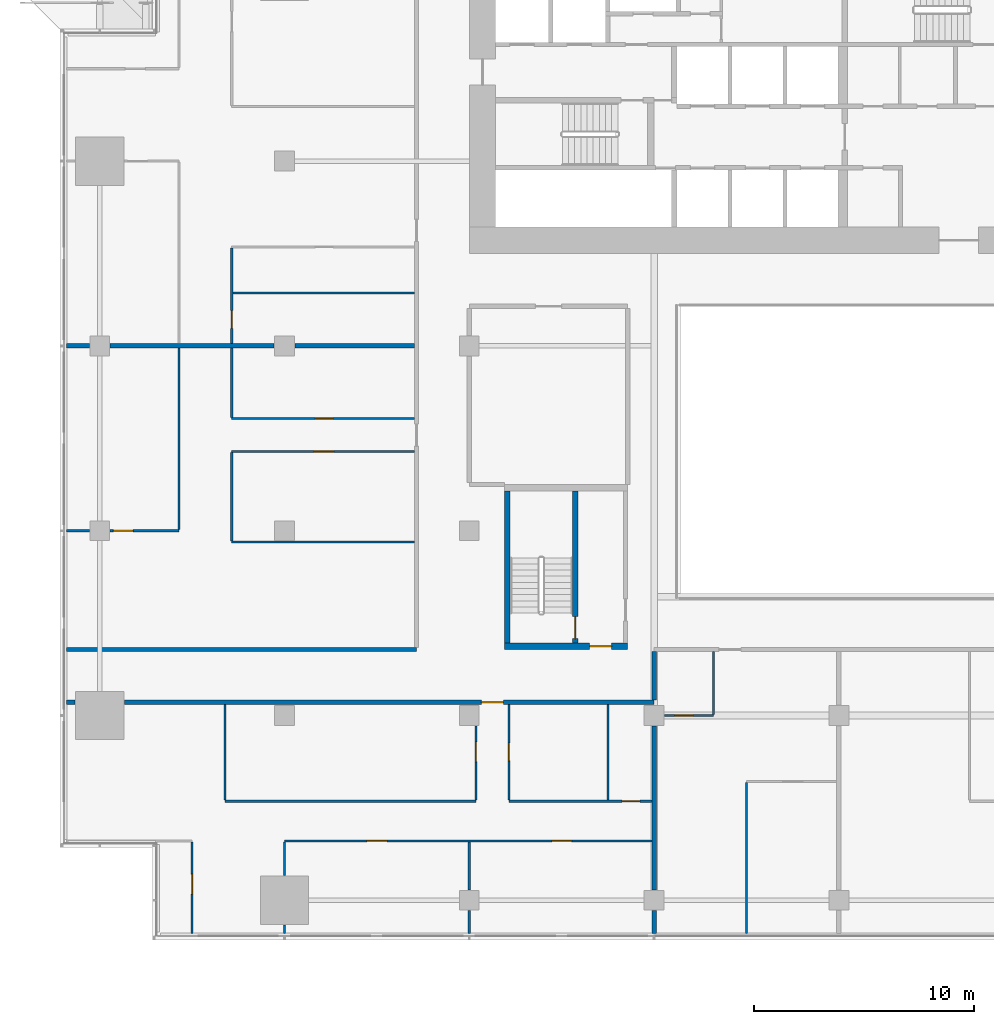
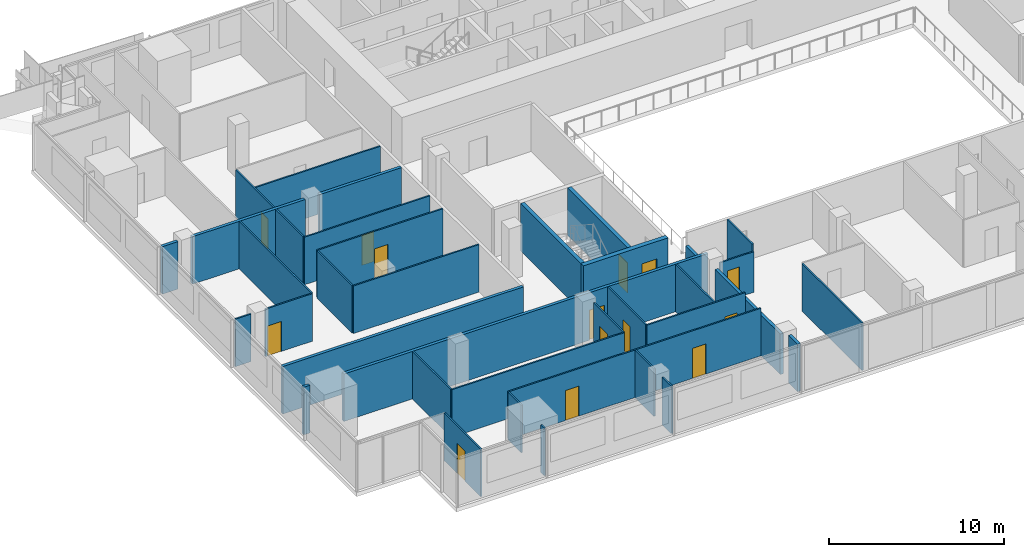
# One storey, part 18 of 30: 37 walls, 14 doors, 14 openings.
"""IFC4 building model written with IfcOpenShell, lengths in metres."""

import ifcopenshell
import ifcopenshell.guid

model = None  # the IFC model being written
_history = None  # IfcOwnerHistory: only IFC2X3 demands one
_inside = {}  # id of a spatial element -> (the spatial element, [elements in it])
_under = {}  # id of a project, library or spatial element -> (it, [spatial elements below it])
_declared = {}  # id of a project -> (the project, [libraries it declares])
_typed = {}  # id of a type object -> (the type object, [elements of that type])
_made_of = {}  # id of a material, layer set ... -> (it, [elements and type objects made of it])


def new_model(schema):
    """Start an empty IFC model of exactly this schema.

    Asked for "IFC4X3", IfcOpenShell would pick the latest addendum, in which some entities
    have other attributes; the version numbers below select the first issue.
    IFC2X3 requires an IfcOwnerHistory on every rooted entity: one is made here for all.
    """
    global model, _history
    if schema == "IFC4X3":
        model = ifcopenshell.file(schema_version=(4, 3, 0, 0))
    else:
        model = ifcopenshell.file(schema=schema)
    _inside.clear()
    _under.clear()
    _declared.clear()
    _typed.clear()
    _made_of.clear()
    _history = None
    if model.schema == "IFC2X3":
        org = make("IfcOrganization", Name="unknown")
        user = make(
            "IfcPersonAndOrganization",
            ThePerson=make("IfcPerson", FamilyName="unknown"),
            TheOrganization=org,
        )
        app = make(
            "IfcApplication",
            ApplicationDeveloper=org,
            Version="unknown",
            ApplicationFullName="unknown",
            ApplicationIdentifier="unknown",
        )
        _history = make(
            "IfcOwnerHistory",
            OwningUser=user,
            OwningApplication=app,
            ChangeAction="ADDED",
            CreationDate=0,
        )
    return model


def make(cls, **values):
    """One entity of the class cls with the attributes given. An attribute that is None is left unset."""
    return model.create_entity(
        cls, **{name: value for name, value in values.items() if value is not None}
    )


def rooted(cls, **values):
    """An entity with a GlobalId (a new one), such as an element, a storey or a relation."""
    return make(cls, GlobalId=ifcopenshell.guid.new(), OwnerHistory=_history, **values)


def si_unit(unit_type, name, prefix=None):
    """IfcSIUnit, for example si_unit("LENGTHUNIT", "METRE", prefix="MILLI")."""
    return make("IfcSIUnit", UnitType=unit_type, Prefix=prefix, Name=name)


def assignment(units):
    """IfcUnitAssignment: the units of a project."""
    return None if units is None else make("IfcUnitAssignment", Units=units)


def point(xyz):
    """IfcCartesianPoint."""
    return None if xyz is None else make("IfcCartesianPoint", Coordinates=xyz)


def direction(xyz):
    """IfcDirection."""
    return None if xyz is None else make("IfcDirection", DirectionRatios=xyz)


def frame(location, z_axis=None, x_axis=None):
    """IfcAxis2Placement3D, a coordinate frame: its origin and axes. An axis left out is left unset."""
    return make(
        "IfcAxis2Placement3D",
        Location=point(location),
        Axis=direction(z_axis),
        RefDirection=direction(x_axis),
    )


def frame_2d(location, x_axis=None):
    """IfcAxis2Placement2D, a coordinate frame in the plane: its origin and x axis."""
    return make(
        "IfcAxis2Placement2D", Location=point(location), RefDirection=direction(x_axis)
    )


def origin():
    """The frame at (0, 0, 0) with its axes left unset."""
    return frame((0.0, 0.0, 0.0))


def place(relative_to, where):
    """IfcLocalPlacement: puts the frame where relative to a parent placement (None: the world)."""
    return make(
        "IfcLocalPlacement", PlacementRelTo=relative_to, RelativePlacement=where
    )


def context(
    kind, dimensions, precision=None, world=None, true_north=None, identifier=None
):
    """IfcGeometricRepresentationContext, for example the 3D "Model" context."""
    return make(
        "IfcGeometricRepresentationContext",
        ContextIdentifier=identifier,
        ContextType=kind,
        CoordinateSpaceDimension=dimensions,
        Precision=precision,
        WorldCoordinateSystem=world,
        TrueNorth=true_north,
    )


def subcontext(parent, identifier, kind, view, scale=None):
    """IfcGeometricRepresentationSubContext, for example "Body" below "Model"."""
    return make(
        "IfcGeometricRepresentationSubContext",
        ContextIdentifier=identifier,
        ContextType=kind,
        ParentContext=parent,
        TargetScale=scale,
        TargetView=view,
    )


def project(units=None, contexts=None):
    """IfcProject with its units and contexts."""
    return rooted(
        "IfcProject",
        Name="project",
        RepresentationContexts=contexts,
        UnitsInContext=assignment(units),
    )


def spatial(cls, under=None, at=None, **own):
    """A site, building, storey or space (cls), placed at a placement, below another one or the project."""
    s = rooted(cls, ObjectPlacement=at, **own)
    if under is not None:
        _under.setdefault(under.id(), (under, []))[1].append(s)
    return s


def profile(cls, at=None, kind="AREA", **sizes):
    """A parametric profile (cls). Its sizes go by their IFC names, for example OverallWidth=200.0."""
    return make(cls, ProfileType=kind, Position=at, **sizes)


def rectangle(**sizes):
    """IfcRectangleProfileDef."""
    return profile("IfcRectangleProfileDef", **sizes)


def extrude(swept, where, along, depth):
    """IfcExtrudedAreaSolid: the profile swept, set in the frame where, extruded along a direction by depth."""
    return make(
        "IfcExtrudedAreaSolid",
        SweptArea=swept,
        Position=where,
        ExtrudedDirection=direction(along),
        Depth=depth,
    )


def shape(context_of_items, identifier, shape_type, items):
    """IfcShapeRepresentation: the items that make up one representation, for example the "Body"."""
    return make(
        "IfcShapeRepresentation",
        ContextOfItems=context_of_items,
        RepresentationIdentifier=identifier,
        RepresentationType=shape_type,
        Items=items,
    )


def material(Name=None, Category=None):
    """IfcMaterial."""
    return make("IfcMaterial", Name=Name, Category=Category)


def layer(
    of_material, thickness, ventilated=None, Name=None, Category=None, Priority=None
):
    """IfcMaterialLayer: one layer of a wall or slab, of a material (None: an air gap)."""
    return make(
        "IfcMaterialLayer",
        Material=of_material,
        LayerThickness=thickness,
        IsVentilated=ventilated,
        Name=Name,
        Category=Category,
        Priority=Priority,
    )


def layer_set(layers, Name=None):
    """IfcMaterialLayerSet."""
    return make("IfcMaterialLayerSet", MaterialLayers=layers, LayerSetName=Name)


def made_of(thing, what):
    """Note that an element or type object is made of a material, layer set ...; save() writes the relation."""
    if what is not None:
        _made_of.setdefault(what.id(), (what, []))[1].append(thing)
    return thing


def type_object(cls, material=None, **own):
    """A type object (cls), such as IfcWallType, which elements share."""
    return made_of(rooted(cls, **own), material)


def element(
    cls,
    number,
    at=None,
    inside=None,
    cuts=None,
    type_object=None,
    material=None,
    context=None,
    identifier="Body",
    shape_type=None,
    held_by="IfcProductDefinitionShape",
    body=None,
    shapes=None,
    **own,
):
    """One element of the class cls, such as IfcWall. Its Tag is "e" and its number.

    at: its placement. inside: the storey or other place that contains it. cuts: it is an
    opening in that element (IfcRelVoidsElement). A single representation is given by context,
    identifier, shape_type and body (its items); several are given by shapes. held_by: the class
    of the entity that holds the representations. save() writes the other relations.
    """
    e = rooted(cls, Tag="e%d" % number, ObjectPlacement=at, **own)
    if body is not None:
        shapes = [shape(context, identifier, shape_type, body)]
    if shapes is not None:
        e.Representation = make(held_by, Representations=shapes)
    if inside is not None:
        _inside.setdefault(inside.id(), (inside, []))[1].append(e)
    if cuts is not None:
        rooted(
            "IfcRelVoidsElement", RelatingBuildingElement=cuts, RelatedOpeningElement=e
        )
    if type_object is not None:
        _typed.setdefault(type_object.id(), (type_object, []))[1].append(e)
    return made_of(e, material)


def fill(opening, filler):
    """IfcRelFillsElement: the door or window that sits in an opening."""
    return rooted(
        "IfcRelFillsElement",
        RelatingOpeningElement=opening,
        RelatedBuildingElement=filler,
    )


def aggregate(whole, parts):
    """IfcRelAggregates: a whole, such as a stair, and the parts it consists of."""
    return rooted("IfcRelAggregates", RelatingObject=whole, RelatedObjects=parts)


def save(model, path):
    """Write the relations noted so far, then the file.

    IfcRelAggregates (storeys below a building ...), IfcRelContainedInSpatialStructure (elements
    in a storey), IfcRelDefinesByType, IfcRelAssociatesMaterial and IfcRelDeclares: one each for
    every whole, place, type object, material and project.
    """
    for whole, parts in _under.values():
        aggregate(whole, parts)
    for where, things in _inside.values():
        rooted(
            "IfcRelContainedInSpatialStructure",
            RelatedElements=things,
            RelatingStructure=where,
        )
    for kind, things in _typed.values():
        rooted("IfcRelDefinesByType", RelatedObjects=things, RelatingType=kind)
    for what, things in _made_of.values():
        rooted("IfcRelAssociatesMaterial", RelatedObjects=things, RelatingMaterial=what)
    for by, libraries in _declared.values():
        rooted("IfcRelDeclares", RelatingContext=by, RelatedDefinitions=libraries)
    model.write(path)


model = new_model("IFC4")

# Units and contexts
model_context = context("Model", 3, precision=1e-05, world=origin(), true_north=direction((0.0, 1.0)))
body_context = subcontext(model_context, "Body", "Model", "MODEL_VIEW")
ifc_project = project(units=[si_unit("LENGTHUNIT", "METRE"), si_unit("AREAUNIT", "SQUARE_METRE"), si_unit("VOLUMEUNIT", "CUBIC_METRE"), si_unit("PLANEANGLEUNIT", "RADIAN"), si_unit("MASSUNIT", "GRAM", prefix="KILO")], contexts=[model_context])

# Site, building, storey
site_placement = place(None, origin())
site = spatial("IfcSite", under=ifc_project, at=site_placement, CompositionType="ELEMENT")
building_placement = place(site_placement, origin())
building = spatial("IfcBuilding", under=site, at=building_placement, Name="Saffron Gate Tower", CompositionType="ELEMENT")
storey_placement = place(building_placement, frame((0.0, 0.0, 69.60009765625)))
storey = spatial("IfcBuildingStorey", under=building, at=storey_placement, Name="L16", CompositionType="ELEMENT", Elevation=69.60009765625)

# Wall
ifc_material_1 = material(Name="Concrete C70", Category="concrete")
ifc_layer_1 = layer(ifc_material_1, 0.25)
ifc_layer_set_1 = layer_set([ifc_layer_1], Name="CW2 RC core wall 250 C70")
wall_type_1 = type_object("IfcWallType", Name="CW2 RC core wall 250 C70", PredefinedType="SOLIDWALL", material=ifc_layer_set_1)
wall_1_placement = place(storey_placement, frame((68.324951171875, 43.5, 0.0), z_axis=(0.0, 0.0, 1.0), x_axis=(0.0, 1.0, 0.0)))
element("IfcWall", 1, at=wall_1_placement, inside=storey, type_object=wall_type_1, Name="Wall CW2-L16-D-2", PredefinedType="SOLIDWALL", context=body_context, shape_type="SweptSolid", body=[
    extrude(rectangle(XDim=6.89990234375, YDim=0.25, at=frame_2d((3.449951171875, 0.0))), origin(), (0.0, 0.0, 1.0), 3.31982421875),
])

# Wall, opening, door
wall_2_placement = place(storey_placement, frame((71.425048828125, 43.5, 0.0), z_axis=(0.0, 0.0, 1.0), x_axis=(0.0, 1.0, 0.0)))
wall_2 = element("IfcWall", 2, at=wall_2_placement, inside=storey, type_object=wall_type_1, Name="Wall CW2-L16-D-3", PredefinedType="SOLIDWALL", context=body_context, shape_type="SweptSolid", body=[
    extrude(rectangle(XDim=6.89990234375, YDim=0.25, at=frame_2d((3.449951171875, 0.0))), origin(), (0.0, 0.0, 1.0), 3.31982421875),
])
opening_1_placement = place(wall_2_placement, frame((0.199951171875, 0.0, 0.0)))
opening_1 = element("IfcOpeningElement", 3, at=opening_1_placement, cuts=wall_2, Name="Opening CR-20", PredefinedType="OPENING", context=body_context, shape_type="SweptSolid", body=[
    extrude(rectangle(XDim=1.0, YDim=2.10009765625, at=frame_2d((0.5, 1.050048828125))), frame((0.0, 0.135009765625, 0.0), z_axis=(0.0, -1.0, 0.0), x_axis=(1.0, 0.0, 0.0)), (0.0, 0.0, 1.0), 0.27001953125),
])
ifc_material_2 = material(Name="Steel fire door set", Category="steel")
door_type_1 = type_object("IfcDoorType", Name="CD5 Stair door 1000x2100 EI 120", OperationType="NOTDEFINED", PredefinedType="DOOR", material=ifc_material_2)
door_1_placement = place(opening_1_placement, origin())
door_1 = element("IfcDoor", 4, at=door_1_placement, inside=storey, type_object=door_type_1, Name="DOOR CR-20", OperationType="SINGLE_SWING_LEFT", OverallHeight=2.10009765625, OverallWidth=1.0, PredefinedType="DOOR", context=body_context, shape_type="SweptSolid", body=[
    extrude(rectangle(XDim=1.0, YDim=2.10009765625, at=frame_2d((0.5, 1.050048828125))), frame((0.0, 0.02490234375, 0.0), z_axis=(0.0, -1.0, 0.0), x_axis=(1.0, 0.0, 0.0)), (0.0, 0.0, 1.0), 0.050048828125),
])
fill(opening_1, door_1)

ifc_layer_2 = layer(ifc_material_1, 0.300048828125)
ifc_layer_set_2 = layer_set([ifc_layer_2], Name="CW5 RC core wall 300 C70")
wall_type_2 = type_object("IfcWallType", Name="CW5 RC core wall 300 C70", PredefinedType="SOLIDWALL", material=ifc_layer_set_2)
wall_3_placement = place(storey_placement, frame((68.199951171875, 43.35009765625, 0.0), z_axis=(0.0, 0.0, 1.0), x_axis=(1.0, 0.0, 0.0)))
wall_3 = element("IfcWall", 5, at=wall_3_placement, inside=storey, type_object=wall_type_2, Name="Wall CW5-L16-D-1", PredefinedType="SOLIDWALL", context=body_context, shape_type="SweptSolid", body=[
    extrude(rectangle(XDim=5.60009765625, YDim=0.300048828125, at=frame_2d((2.800048828125, 0.0))), origin(), (0.0, 0.0, 1.0), 3.31982421875),
])
opening_2_placement = place(wall_3_placement, frame((3.875, 0.0, 0.0)))
opening_2 = element("IfcOpeningElement", 6, at=opening_2_placement, cuts=wall_3, Name="Opening CR-18", PredefinedType="OPENING", context=body_context, shape_type="SweptSolid", body=[
    extrude(rectangle(XDim=1.0, YDim=2.10009765625, at=frame_2d((0.5, 1.050048828125))), frame((0.0, 0.16015625, 0.0), z_axis=(0.0, -1.0, 0.0), x_axis=(1.0, 0.0, 0.0)), (0.0, 0.0, 1.0), 0.320068359375),
])
door_type_2 = type_object("IfcDoorType", Name="CD4 Lobby door 1000x2100 EI 120", OperationType="NOTDEFINED", PredefinedType="DOOR", material=ifc_material_2)
door_2_placement = place(opening_2_placement, origin())
door_2 = element("IfcDoor", 7, at=door_2_placement, inside=storey, type_object=door_type_2, Name="DOOR CR-18", OperationType="SINGLE_SWING_RIGHT", OverallHeight=2.10009765625, OverallWidth=1.0, PredefinedType="DOOR", context=body_context, shape_type="SweptSolid", body=[
    extrude(rectangle(XDim=1.0, YDim=2.10009765625, at=frame_2d((0.5, 1.050048828125))), frame((0.0, 0.02490234375, 0.0), z_axis=(0.0, -1.0, 0.0), x_axis=(1.0, 0.0, 0.0)), (0.0, 0.0, 1.0), 0.050048828125),
])
fill(opening_2, door_2)

# Wall, openings, doors
ifc_material_3 = material(Name="Plasterboard on steel studs", Category="steel")
ifc_layer_3 = layer(ifc_material_3, 0.10009765625)
ifc_layer_set_3 = layer_set([ifc_layer_3], Name="PW1 Partition 100")
wall_type_3 = type_object("IfcWallType", Name="PW1 Partition 100", PredefinedType="PARTITIONING", material=ifc_layer_set_3)
wall_4_placement = place(storey_placement, frame((74.89990234375, 34.5, 0.0), z_axis=(0.0, 0.0, 1.0), x_axis=(-1.0, 0.0, 0.0)))
wall_4 = element("IfcWall", 8, at=wall_4_placement, inside=storey, type_object=wall_type_3, Name="Partition A4-2", PredefinedType="PARTITIONING", context=body_context, shape_type="SweptSolid", body=[
    extrude(rectangle(XDim=16.699951171875, YDim=0.10009765625, at=frame_2d((8.35009765625, 0.0))), origin(), (0.0, 0.0, 1.0), 3.31982421875),
])
opening_3_placement = place(wall_4_placement, frame((3.64990234375, 0.0, 0.0)))
opening_3 = element("IfcOpeningElement", 9, at=opening_3_placement, cuts=wall_4, Name="Opening A4-11", PredefinedType="OPENING", context=body_context, shape_type="SweptSolid", body=[
    extrude(rectangle(XDim=0.89990234375, YDim=2.10009765625, at=frame_2d((0.449951171875, 1.050048828125))), frame((0.0, 0.06005859375, 0.0), z_axis=(0.0, -1.0, 0.0), x_axis=(1.0, 0.0, 0.0)), (0.0, 0.0, 1.0), 0.1201171875),
])
opening_4_placement = place(wall_4_placement, frame((12.050048828125, 0.0, 0.0)))
opening_4 = element("IfcOpeningElement", 10, at=opening_4_placement, cuts=wall_4, Name="Opening A4-10", PredefinedType="OPENING", context=body_context, shape_type="SweptSolid", body=[
    extrude(rectangle(XDim=0.89990234375, YDim=2.10009765625, at=frame_2d((0.449951171875, 1.050048828125))), frame((0.0, 0.06005859375, 0.0), z_axis=(0.0, -1.0, 0.0), x_axis=(1.0, 0.0, 0.0)), (0.0, 0.0, 1.0), 0.1201171875),
])
ifc_material_4 = material(Name="Timber door set", Category="wood")
door_type_3 = type_object("IfcDoorType", Name="RD1 Room door 900x2100", OperationType="NOTDEFINED", PredefinedType="DOOR", material=ifc_material_4)
door_3_placement = place(opening_3_placement, origin())
door_3 = element("IfcDoor", 11, at=door_3_placement, inside=storey, type_object=door_type_3, Name="Door A4-11", OperationType="SINGLE_SWING_LEFT", OverallHeight=2.10009765625, OverallWidth=0.89990234375, PredefinedType="DOOR", context=body_context, shape_type="SweptSolid", body=[
    extrude(rectangle(XDim=0.89990234375, YDim=2.10009765625, at=frame_2d((0.449951171875, 1.050048828125))), frame((0.0, 0.02490234375, 0.0), z_axis=(0.0, -1.0, 0.0), x_axis=(1.0, 0.0, 0.0)), (0.0, 0.0, 1.0), 0.050048828125),
])
fill(opening_3, door_3)
door_4_placement = place(opening_4_placement, origin())
door_4 = element("IfcDoor", 12, at=door_4_placement, inside=storey, type_object=door_type_3, Name="Door A4-10", OperationType="SINGLE_SWING_RIGHT", OverallHeight=2.10009765625, OverallWidth=0.89990234375, PredefinedType="DOOR", context=body_context, shape_type="SweptSolid", body=[
    extrude(rectangle(XDim=0.89990234375, YDim=2.10009765625, at=frame_2d((0.449951171875, 1.050048828125))), frame((0.0, 0.02490234375, 0.0), z_axis=(0.0, -1.0, 0.0), x_axis=(1.0, 0.0, 0.0)), (0.0, 0.0, 1.0), 0.050048828125),
])
fill(opening_4, door_4)

# Wall
wall_5_placement = place(storey_placement, frame((55.5, 36.300048828125, 0.0), z_axis=(0.0, 0.0, 1.0), x_axis=(1.0, 0.0, 0.0)))
element("IfcWall", 13, at=wall_5_placement, inside=storey, type_object=wall_type_3, Name="Partition A4-4", PredefinedType="PARTITIONING", context=body_context, shape_type="SweptSolid", body=[
    extrude(rectangle(XDim=11.39990234375, YDim=0.10009765625, at=frame_2d((5.699951171875, 0.0))), origin(), (0.0, 0.0, 1.0), 3.31982421875),
])

# Wall, opening, door
wall_6_placement = place(storey_placement, frame((68.39990234375, 36.300048828125, 0.0), z_axis=(0.0, 0.0, 1.0), x_axis=(1.0, 0.0, 0.0)))
wall_6 = element("IfcWall", 14, at=wall_6_placement, inside=storey, type_object=wall_type_3, Name="Partition A4-5", PredefinedType="PARTITIONING", context=body_context, shape_type="SweptSolid", body=[
    extrude(rectangle(XDim=6.5, YDim=0.10009765625, at=frame_2d((3.25, 0.0))), origin(), (0.0, 0.0, 1.0), 3.31982421875),
])
opening_5_placement = place(wall_6_placement, frame((5.14990234375, 0.0, 0.0)))
opening_5 = element("IfcOpeningElement", 15, at=opening_5_placement, cuts=wall_6, Name="Opening A4-35", PredefinedType="OPENING", context=body_context, shape_type="SweptSolid", body=[
    extrude(rectangle(XDim=0.800048828125, YDim=2.10009765625, at=frame_2d((0.39990234375, 1.050048828125))), frame((0.0, 0.06005859375, 0.0), z_axis=(0.0, -1.0, 0.0), x_axis=(1.0, 0.0, 0.0)), (0.0, 0.0, 1.0), 0.1201171875),
])
door_type_4 = type_object("IfcDoorType", Name="RD2 Bathroom door 800x2100", OperationType="NOTDEFINED", PredefinedType="DOOR", material=ifc_material_4)
door_5_placement = place(opening_5_placement, origin())
door_5 = element("IfcDoor", 16, at=door_5_placement, inside=storey, type_object=door_type_4, Name="Door A4-35", OperationType="SINGLE_SWING_RIGHT", OverallHeight=2.10009765625, OverallWidth=0.800048828125, PredefinedType="DOOR", context=body_context, shape_type="SweptSolid", body=[
    extrude(rectangle(XDim=0.800048828125, YDim=2.10009765625, at=frame_2d((0.39990234375, 1.050048828125))), frame((0.0, 0.02490234375, 0.0), z_axis=(0.0, -1.0, 0.0), x_axis=(1.0, 0.0, 0.0)), (0.0, 0.0, 1.0), 0.050048828125),
])
fill(opening_5, door_5)

wall_7_placement = place(storey_placement, frame((75.469970703125, 40.199951171875, 0.0), z_axis=(0.0, 0.0, 1.0), x_axis=(1.0, 0.0, 0.0)))
wall_7 = element("IfcWall", 17, at=wall_7_placement, inside=storey, type_object=wall_type_3, Name="Partition A4-9", PredefinedType="PARTITIONING", context=body_context, shape_type="SweptSolid", body=[
    extrude(rectangle(XDim=2.22998046875, YDim=0.10009765625, at=frame_2d((1.114990234375, 0.0))), origin(), (0.0, 0.0, 1.0), 2.829833984375),
])
opening_6_placement = place(wall_7_placement, frame((0.47998046875, 0.0, 0.0)))
opening_6 = element("IfcOpeningElement", 18, at=opening_6_placement, cuts=wall_7, Name="Opening A4-36", PredefinedType="OPENING", context=body_context, shape_type="SweptSolid", body=[
    extrude(rectangle(XDim=0.800048828125, YDim=2.10009765625, at=frame_2d((0.39990234375, 1.050048828125))), frame((0.0, 0.06005859375, 0.0), z_axis=(0.0, -1.0, 0.0), x_axis=(1.0, 0.0, 0.0)), (0.0, 0.0, 1.0), 0.1201171875),
])
door_6_placement = place(opening_6_placement, origin())
door_6 = element("IfcDoor", 19, at=door_6_placement, inside=storey, type_object=door_type_4, Name="Door A4-36", OperationType="SINGLE_SWING_LEFT", OverallHeight=2.10009765625, OverallWidth=0.800048828125, PredefinedType="DOOR", context=body_context, shape_type="SweptSolid", body=[
    extrude(rectangle(XDim=0.800048828125, YDim=2.10009765625, at=frame_2d((0.39990234375, 1.050048828125))), frame((0.0, 0.02490234375, 0.0), z_axis=(0.0, -1.0, 0.0), x_axis=(1.0, 0.0, 0.0)), (0.0, 0.0, 1.0), 0.050048828125),
])
fill(opening_6, door_6)

# Walls
wall_8_placement = place(storey_placement, frame((55.800048828125, 48.0810546875, 0.0), z_axis=(0.0, 0.0, 1.0), x_axis=(1.0, 0.0, 0.0)))
element("IfcWall", 20, at=wall_8_placement, inside=storey, type_object=wall_type_3, Name="Partition A4-18", PredefinedType="PARTITIONING", context=body_context, shape_type="SweptSolid", body=[
    extrude(rectangle(XDim=8.300048828125, YDim=0.10009765625, at=frame_2d((4.14990234375, 0.0))), origin(), (0.0, 0.0, 1.0), 3.31982421875),
])
wall_9_placement = place(storey_placement, frame((48.280029296875, 48.60009765625, 0.0), z_axis=(0.0, 0.0, 1.0), x_axis=(1.0, 0.0, 0.0)))
element("IfcWall", 21, at=wall_9_placement, inside=storey, type_object=wall_type_3, Name="Partition A4-19", PredefinedType="PARTITIONING", context=body_context, shape_type="SweptSolid", body=[
    extrude(rectangle(XDim=1.050048828125, YDim=0.10009765625, at=frame_2d((0.52490234375, 0.0))), origin(), (0.0, 0.0, 1.0), 3.31982421875),
])

# Wall, opening, door
wall_10_placement = place(storey_placement, frame((50.27001953125, 48.60009765625, 0.0), z_axis=(0.0, 0.0, 1.0), x_axis=(1.0, 0.0, 0.0)))
wall_10 = element("IfcWall", 22, at=wall_10_placement, inside=storey, type_object=wall_type_3, Name="Partition A4-20", PredefinedType="PARTITIONING", context=body_context, shape_type="SweptSolid", body=[
    extrude(rectangle(XDim=3.1298828125, YDim=0.10009765625, at=frame_2d((1.56494140625, 0.0))), origin(), (0.0, 0.0, 1.0), 3.31982421875),
])
opening_7_placement = place(wall_10_placement, frame((0.14990234375, 0.0, 0.0)))
opening_7 = element("IfcOpeningElement", 23, at=opening_7_placement, cuts=wall_10, Name="Opening A4-23", PredefinedType="OPENING", context=body_context, shape_type="SweptSolid", body=[
    extrude(rectangle(XDim=0.89990234375, YDim=2.10009765625, at=frame_2d((0.449951171875, 1.050048828125))), frame((0.0, 0.06005859375, 0.0), z_axis=(0.0, -1.0, 0.0), x_axis=(1.0, 0.0, 0.0)), (0.0, 0.0, 1.0), 0.1201171875),
])
door_7_placement = place(opening_7_placement, origin())
door_7 = element("IfcDoor", 24, at=door_7_placement, inside=storey, type_object=door_type_3, Name="Door A4-23", OperationType="SINGLE_SWING_LEFT", OverallHeight=2.10009765625, OverallWidth=0.89990234375, PredefinedType="DOOR", context=body_context, shape_type="SweptSolid", body=[
    extrude(rectangle(XDim=0.89990234375, YDim=2.10009765625, at=frame_2d((0.449951171875, 1.050048828125))), frame((0.0, 0.02490234375, 0.0), z_axis=(0.0, -1.0, 0.0), x_axis=(1.0, 0.0, 0.0)), (0.0, 0.0, 1.0), 0.050048828125),
])
fill(opening_7, door_7)

wall_11_placement = place(storey_placement, frame((64.10009765625, 52.199951171875, 0.0), z_axis=(0.0, 0.0, 1.0), x_axis=(-1.0, 0.0, 0.0)))
wall_11 = element("IfcWall", 25, at=wall_11_placement, inside=storey, type_object=wall_type_3, Name="Partition A4-25", PredefinedType="PARTITIONING", context=body_context, shape_type="SweptSolid", body=[
    extrude(rectangle(XDim=8.300048828125, YDim=0.10009765625, at=frame_2d((4.14990234375, 0.0))), origin(), (0.0, 0.0, 1.0), 3.31982421875),
])
opening_8_placement = place(wall_11_placement, frame((3.64990234375, 0.0, 0.0)))
opening_8 = element("IfcOpeningElement", 26, at=opening_8_placement, cuts=wall_11, Name="Opening A4-24", PredefinedType="OPENING", context=body_context, shape_type="SweptSolid", body=[
    extrude(rectangle(XDim=0.89990234375, YDim=2.10009765625, at=frame_2d((0.449951171875, 1.050048828125))), frame((0.0, 0.06005859375, 0.0), z_axis=(0.0, -1.0, 0.0), x_axis=(1.0, 0.0, 0.0)), (0.0, 0.0, 1.0), 0.1201171875),
])
door_8_placement = place(opening_8_placement, origin())
door_8 = element("IfcDoor", 27, at=door_8_placement, inside=storey, type_object=door_type_3, Name="Door A4-24", OperationType="SINGLE_SWING_LEFT", OverallHeight=2.10009765625, OverallWidth=0.89990234375, PredefinedType="DOOR", context=body_context, shape_type="SweptSolid", body=[
    extrude(rectangle(XDim=0.89990234375, YDim=2.10009765625, at=frame_2d((0.449951171875, 1.050048828125))), frame((0.0, 0.02490234375, 0.0), z_axis=(0.0, -1.0, 0.0), x_axis=(1.0, 0.0, 0.0)), (0.0, 0.0, 1.0), 0.050048828125),
])
fill(opening_8, door_8)

wall_12_placement = place(storey_placement, frame((55.800048828125, 53.699951171875, 0.0), z_axis=(0.0, 0.0, 1.0), x_axis=(1.0, 0.0, 0.0)))
wall_12 = element("IfcWall", 28, at=wall_12_placement, inside=storey, type_object=wall_type_3, Name="Partition A4-26", PredefinedType="PARTITIONING", context=body_context, shape_type="SweptSolid", body=[
    extrude(rectangle(XDim=8.300048828125, YDim=0.10009765625, at=frame_2d((4.14990234375, 0.0))), origin(), (0.0, 0.0, 1.0), 3.31982421875),
])
opening_9_placement = place(wall_12_placement, frame((3.800048828125, 0.0, 0.0)))
opening_9 = element("IfcOpeningElement", 29, at=opening_9_placement, cuts=wall_12, Name="Opening A4-40", PredefinedType="OPENING", context=body_context, shape_type="SweptSolid", body=[
    extrude(rectangle(XDim=0.800048828125, YDim=2.10009765625, at=frame_2d((0.39990234375, 1.050048828125))), frame((0.0, 0.06005859375, 0.0), z_axis=(0.0, -1.0, 0.0), x_axis=(1.0, 0.0, 0.0)), (0.0, 0.0, 1.0), 0.1201171875),
])
door_9_placement = place(opening_9_placement, origin())
door_9 = element("IfcDoor", 30, at=door_9_placement, inside=storey, type_object=door_type_4, Name="Door A4-40", OperationType="SINGLE_SWING_RIGHT", OverallHeight=2.10009765625, OverallWidth=0.800048828125, PredefinedType="DOOR", context=body_context, shape_type="SweptSolid", body=[
    extrude(rectangle(XDim=0.800048828125, YDim=2.10009765625, at=frame_2d((0.39990234375, 1.050048828125))), frame((0.0, 0.02490234375, 0.0), z_axis=(0.0, -1.0, 0.0), x_axis=(1.0, 0.0, 0.0)), (0.0, 0.0, 1.0), 0.050048828125),
])
fill(opening_9, door_9)

# Wall
wall_13_placement = place(storey_placement, frame((55.85009765625, 59.39990234375, 0.0), z_axis=(0.0, 0.0, 1.0), x_axis=(1.0, 0.0, 0.0)))
element("IfcWall", 31, at=wall_13_placement, inside=storey, type_object=wall_type_3, Name="Partition A4-38", PredefinedType="PARTITIONING", context=body_context, shape_type="SweptSolid", body=[
    extrude(rectangle(XDim=8.25, YDim=0.10009765625, at=frame_2d((4.125, 0.0))), origin(), (0.0, 0.0, 1.0), 3.31982421875),
])

# Wall, opening, door
wall_14_placement = place(storey_placement, frame((54.0, 30.280029296875, 0.0), z_axis=(0.0, 0.0, 1.0), x_axis=(0.0, 1.0, 0.0)))
wall_14 = element("IfcWall", 32, at=wall_14_placement, inside=storey, type_object=wall_type_3, Name="Partition A4-51", PredefinedType="PARTITIONING", context=body_context, shape_type="SweptSolid", body=[
    extrude(rectangle(XDim=4.169921875, YDim=0.10009765625, at=frame_2d((2.0849609375, 0.0))), origin(), (0.0, 0.0, 1.0), 3.31982421875),
])
opening_10_placement = place(wall_14_placement, frame((1.802734375, 0.0, 0.0)))
opening_10 = element("IfcOpeningElement", 33, at=opening_10_placement, cuts=wall_14, Name="Opening A4-9", PredefinedType="OPENING", context=body_context, shape_type="SweptSolid", body=[
    extrude(rectangle(XDim=0.89990234375, YDim=2.10009765625, at=frame_2d((0.449951171875, 1.050048828125))), frame((0.0, 0.06005859375, 0.0), z_axis=(0.0, -1.0, 0.0), x_axis=(1.0, 0.0, 0.0)), (0.0, 0.0, 1.0), 0.1201171875),
])
door_10_placement = place(opening_10_placement, origin())
door_10 = element("IfcDoor", 34, at=door_10_placement, inside=storey, type_object=door_type_3, Name="Door A4-9", OperationType="SINGLE_SWING_RIGHT", OverallHeight=2.10009765625, OverallWidth=0.89990234375, PredefinedType="DOOR", context=body_context, shape_type="SweptSolid", body=[
    extrude(rectangle(XDim=0.89990234375, YDim=2.10009765625, at=frame_2d((0.449951171875, 1.050048828125))), frame((0.0, 0.02490234375, 0.0), z_axis=(0.0, -1.0, 0.0), x_axis=(1.0, 0.0, 0.0)), (0.0, 0.0, 1.0), 0.050048828125),
])
fill(opening_10, door_10)

# Walls
wall_15_placement = place(storey_placement, frame((55.5, 40.699951171875, 0.0), z_axis=(0.0, 0.0, 1.0), x_axis=(0.0, -1.0, 0.0)))
element("IfcWall", 35, at=wall_15_placement, inside=storey, type_object=wall_type_3, Name="Partition A4-52", PredefinedType="PARTITIONING", context=body_context, shape_type="SweptSolid", body=[
    extrude(rectangle(XDim=4.349853515625, YDim=0.10009765625, at=frame_2d((2.1748046875, 0.0))), origin(), (0.0, 0.0, 1.0), 3.31982421875),
])
wall_16_placement = place(storey_placement, frame((55.800048828125, 52.14990234375, 0.0), z_axis=(0.0, 0.0, 1.0), x_axis=(0.0, -1.0, 0.0)))
element("IfcWall", 36, at=wall_16_placement, inside=storey, type_object=wall_type_3, Name="Partition A4-53", PredefinedType="PARTITIONING", context=body_context, shape_type="SweptSolid", body=[
    extrude(rectangle(XDim=4.018798828125, YDim=0.10009765625, at=frame_2d((2.00927734375, 0.0))), origin(), (0.0, 0.0, 1.0), 3.31982421875),
])
wall_17_placement = place(storey_placement, frame((58.199951171875, 30.679931640625, 0.0), z_axis=(0.0, 0.0, 1.0), x_axis=(0.0, -1.0, 0.0)))
element("IfcWall", 37, at=wall_17_placement, inside=storey, type_object=wall_type_3, Name="Partition A4-55", PredefinedType="PARTITIONING", context=body_context, shape_type="SweptSolid", body=[
    extrude(rectangle(XDim=0.39990234375, YDim=0.10009765625, at=frame_2d((0.199951171875, 0.0))), origin(), (0.0, 0.0, 1.0), 3.31982421875),
])
wall_18_placement = place(storey_placement, frame((58.199951171875, 34.449951171875, 0.0), z_axis=(0.0, 0.0, 1.0), x_axis=(0.0, -1.0, 0.0)))
element("IfcWall", 38, at=wall_18_placement, inside=storey, type_object=wall_type_3, Name="Partition A4-56", PredefinedType="PARTITIONING", context=body_context, shape_type="SweptSolid", body=[
    extrude(rectangle(XDim=1.530029296875, YDim=0.10009765625, at=frame_2d((0.76513671875, 0.0))), origin(), (0.0, 0.0, 1.0), 3.31982421875),
])
wall_19_placement = place(storey_placement, frame((66.60009765625, 31.330078125, 0.0), z_axis=(0.0, 0.0, 1.0), x_axis=(0.0, -1.0, 0.0)))
element("IfcWall", 39, at=wall_19_placement, inside=storey, type_object=wall_type_3, Name="Partition A4-60", PredefinedType="PARTITIONING", context=body_context, shape_type="SweptSolid", body=[
    extrude(rectangle(XDim=1.050048828125, YDim=0.10009765625, at=frame_2d((0.52490234375, 0.0))), origin(), (0.0, 0.0, 1.0), 3.31982421875),
])
wall_20_placement = place(storey_placement, frame((66.60009765625, 34.449951171875, 0.0), z_axis=(0.0, 0.0, 1.0), x_axis=(0.0, -1.0, 0.0)))
element("IfcWall", 40, at=wall_20_placement, inside=storey, type_object=wall_type_3, Name="Partition A4-61", PredefinedType="PARTITIONING", context=body_context, shape_type="SweptSolid", body=[
    extrude(rectangle(XDim=2.179931640625, YDim=0.10009765625, at=frame_2d((1.08984375, 0.0))), origin(), (0.0, 0.0, 1.0), 3.31982421875),
])

# Wall, opening, door
wall_21_placement = place(storey_placement, frame((66.89990234375, 36.35009765625, 0.0), z_axis=(0.0, 0.0, 1.0), x_axis=(0.0, 1.0, 0.0)))
wall_21 = element("IfcWall", 41, at=wall_21_placement, inside=storey, type_object=wall_type_3, Name="Partition A4-62", PredefinedType="PARTITIONING", context=body_context, shape_type="SweptSolid", body=[
    extrude(rectangle(XDim=3.3798828125, YDim=0.10009765625, at=frame_2d((1.68994140625, 0.0))), origin(), (0.0, 0.0, 1.0), 3.31982421875),
])
opening_11_placement = place(wall_21_placement, frame((1.75, 0.0, 0.0)))
opening_11 = element("IfcOpeningElement", 42, at=opening_11_placement, cuts=wall_21, Name="Opening A4-12", PredefinedType="OPENING", context=body_context, shape_type="SweptSolid", body=[
    extrude(rectangle(XDim=0.89990234375, YDim=2.10009765625, at=frame_2d((0.449951171875, 1.050048828125))), frame((0.0, 0.06005859375, 0.0), z_axis=(0.0, -1.0, 0.0), x_axis=(1.0, 0.0, 0.0)), (0.0, 0.0, 1.0), 0.1201171875),
])
door_11_placement = place(opening_11_placement, origin())
door_11 = element("IfcDoor", 43, at=door_11_placement, inside=storey, type_object=door_type_3, Name="Door A4-12", OperationType="SINGLE_SWING_RIGHT", OverallHeight=2.10009765625, OverallWidth=0.89990234375, PredefinedType="DOOR", context=body_context, shape_type="SweptSolid", body=[
    extrude(rectangle(XDim=0.89990234375, YDim=2.10009765625, at=frame_2d((0.449951171875, 1.050048828125))), frame((0.0, 0.02490234375, 0.0), z_axis=(0.0, -1.0, 0.0), x_axis=(1.0, 0.0, 0.0)), (0.0, 0.0, 1.0), 0.050048828125),
])
fill(opening_11, door_11)

wall_22_placement = place(storey_placement, frame((68.39990234375, 40.699951171875, 0.0), z_axis=(0.0, 0.0, 1.0), x_axis=(0.0, -1.0, 0.0)))
wall_22 = element("IfcWall", 44, at=wall_22_placement, inside=storey, type_object=wall_type_3, Name="Partition A4-63", PredefinedType="PARTITIONING", context=body_context, shape_type="SweptSolid", body=[
    extrude(rectangle(XDim=4.349853515625, YDim=0.10009765625, at=frame_2d((2.1748046875, 0.0))), origin(), (0.0, 0.0, 1.0), 3.31982421875),
])
opening_12_placement = place(wall_22_placement, frame((1.75, 0.0, 0.0)))
opening_12 = element("IfcOpeningElement", 45, at=opening_12_placement, cuts=wall_22, Name="Opening A4-34", PredefinedType="OPENING", context=body_context, shape_type="SweptSolid", body=[
    extrude(rectangle(XDim=0.800048828125, YDim=2.10009765625, at=frame_2d((0.39990234375, 1.050048828125))), frame((0.0, 0.06005859375, 0.0), z_axis=(0.0, -1.0, 0.0), x_axis=(1.0, 0.0, 0.0)), (0.0, 0.0, 1.0), 0.1201171875),
])
door_12_placement = place(opening_12_placement, origin())
door_12 = element("IfcDoor", 46, at=door_12_placement, inside=storey, type_object=door_type_4, Name="Door A4-34", OperationType="SINGLE_SWING_LEFT", OverallHeight=2.10009765625, OverallWidth=0.800048828125, PredefinedType="DOOR", context=body_context, shape_type="SweptSolid", body=[
    extrude(rectangle(XDim=0.800048828125, YDim=2.10009765625, at=frame_2d((0.39990234375, 1.050048828125))), frame((0.0, 0.02490234375, 0.0), z_axis=(0.0, -1.0, 0.0), x_axis=(1.0, 0.0, 0.0)), (0.0, 0.0, 1.0), 0.050048828125),
])
fill(opening_12, door_12)

# Walls
wall_23_placement = place(storey_placement, frame((72.89990234375, 40.699951171875, 0.0), z_axis=(0.0, 0.0, 1.0), x_axis=(0.0, -1.0, 0.0)))
element("IfcWall", 47, at=wall_23_placement, inside=storey, type_object=wall_type_3, Name="Partition A4-64", PredefinedType="PARTITIONING", context=body_context, shape_type="SweptSolid", body=[
    extrude(rectangle(XDim=4.349853515625, YDim=0.10009765625, at=frame_2d((2.1748046875, 0.0))), origin(), (0.0, 0.0, 1.0), 3.31982421875),
])
wall_24_placement = place(storey_placement, frame((77.699951171875, 43.10009765625, 0.0), z_axis=(0.0, 0.0, 1.0), x_axis=(0.0, -1.0, 0.0)))
element("IfcWall", 48, at=wall_24_placement, inside=storey, type_object=wall_type_3, Name="Partition A4-69", PredefinedType="PARTITIONING", context=body_context, shape_type="SweptSolid", body=[
    extrude(rectangle(XDim=2.85009765625, YDim=0.10009765625, at=frame_2d((1.425048828125, 0.0))), origin(), (0.0, 0.0, 1.0), 3.31982421875),
])
wall_25_placement = place(storey_placement, frame((79.199951171875, 37.14990234375, 0.0), z_axis=(0.0, 0.0, 1.0), x_axis=(0.0, -1.0, 0.0)))
element("IfcWall", 49, at=wall_25_placement, inside=storey, type_object=wall_type_3, Name="Partition A4-70", PredefinedType="PARTITIONING", context=body_context, shape_type="SweptSolid", body=[
    extrude(rectangle(XDim=6.869873046875, YDim=0.10009765625, at=frame_2d((3.43505859375, 0.0))), origin(), (0.0, 0.0, 1.0), 3.31982421875),
])
wall_26_placement = place(storey_placement, frame((53.39990234375, 56.89990234375, 0.0), z_axis=(0.0, 0.0, 1.0), x_axis=(0.0, -1.0, 0.0)))
element("IfcWall", 50, at=wall_26_placement, inside=storey, type_object=wall_type_3, Name="Partition A4-105", PredefinedType="PARTITIONING", context=body_context, shape_type="SweptSolid", body=[
    extrude(rectangle(XDim=8.25, YDim=0.10009765625, at=frame_2d((4.125, 0.0))), origin(), (0.0, 0.0, 1.0), 3.31982421875),
])
wall_27_placement = place(storey_placement, frame((55.800048828125, 56.89990234375, 0.0), z_axis=(0.0, 0.0, 1.0), x_axis=(0.0, -1.0, 0.0)))
element("IfcWall", 51, at=wall_27_placement, inside=storey, type_object=wall_type_3, Name="Partition A4-107", PredefinedType="PARTITIONING", context=body_context, shape_type="SweptSolid", body=[
    extrude(rectangle(XDim=3.14990234375, YDim=0.10009765625, at=frame_2d((1.574951171875, 0.0))), origin(), (0.0, 0.0, 1.0), 3.31982421875),
])

# Wall, opening, door
wall_28_placement = place(storey_placement, frame((55.800048828125, 61.449951171875, 0.0), z_axis=(0.0, 0.0, 1.0), x_axis=(0.0, -1.0, 0.0)))
wall_28 = element("IfcWall", 52, at=wall_28_placement, inside=storey, type_object=wall_type_3, Name="Partition A4-108", PredefinedType="PARTITIONING", context=body_context, shape_type="SweptSolid", body=[
    extrude(rectangle(XDim=4.349853515625, YDim=0.10009765625, at=frame_2d((2.1748046875, 0.0))), origin(), (0.0, 0.0, 1.0), 3.31982421875),
])
opening_13_placement = place(wall_28_placement, frame((2.85009765625, 0.0, 0.0)))
opening_13 = element("IfcOpeningElement", 53, at=opening_13_placement, cuts=wall_28, Name="Opening A4-41", PredefinedType="OPENING", context=body_context, shape_type="SweptSolid", body=[
    extrude(rectangle(XDim=0.800048828125, YDim=2.10009765625, at=frame_2d((0.39990234375, 1.050048828125))), frame((0.0, 0.06005859375, 0.0), z_axis=(0.0, -1.0, 0.0), x_axis=(1.0, 0.0, 0.0)), (0.0, 0.0, 1.0), 0.1201171875),
])
door_13_placement = place(opening_13_placement, origin())
door_13 = element("IfcDoor", 54, at=door_13_placement, inside=storey, type_object=door_type_4, Name="Door A4-41", OperationType="SINGLE_SWING_RIGHT", OverallHeight=2.10009765625, OverallWidth=0.800048828125, PredefinedType="DOOR", context=body_context, shape_type="SweptSolid", body=[
    extrude(rectangle(XDim=0.800048828125, YDim=2.10009765625, at=frame_2d((0.39990234375, 1.050048828125))), frame((0.0, 0.02490234375, 0.0), z_axis=(0.0, -1.0, 0.0), x_axis=(1.0, 0.0, 0.0)), (0.0, 0.0, 1.0), 0.050048828125),
])
fill(opening_13, door_13)

# Walls
ifc_material_5 = material(Name="Clay brick masonry, rendered", Category="masonry")
ifc_layer_4 = layer(ifc_material_5, 0.199951171875)
ifc_layer_set_4 = layer_set([ifc_layer_4], Name="PW2 Demising wall 200")
wall_type_4 = type_object("IfcWallType", Name="PW2 Demising wall 200", PredefinedType="PARTITIONING", material=ifc_layer_set_4)
wall_29_placement = place(storey_placement, frame((48.280029296875, 57.0, 0.0), z_axis=(0.0, 0.0, 1.0), x_axis=(1.0, 0.0, 0.0)))
element("IfcWall", 55, at=wall_29_placement, inside=storey, type_object=wall_type_4, Name="Wall A4-30", PredefinedType="PARTITIONING", context=body_context, shape_type="SweptSolid", body=[
    extrude(rectangle(XDim=1.050048828125, YDim=0.199951171875, at=frame_2d((0.52490234375, 0.0))), origin(), (0.0, 0.0, 1.0), 3.31982421875),
])
wall_30_placement = place(storey_placement, frame((50.27001953125, 57.0, 0.0), z_axis=(0.0, 0.0, 1.0), x_axis=(1.0, 0.0, 0.0)))
element("IfcWall", 56, at=wall_30_placement, inside=storey, type_object=wall_type_4, Name="Wall A4-31", PredefinedType="PARTITIONING", context=body_context, shape_type="SweptSolid", body=[
    extrude(rectangle(XDim=7.4599609375, YDim=0.199951171875, at=frame_2d((3.72998046875, 0.0))), origin(), (0.0, 0.0, 1.0), 3.31982421875),
])
wall_31_placement = place(storey_placement, frame((58.669921875, 57.0, 0.0), z_axis=(0.0, 0.0, 1.0), x_axis=(1.0, 0.0, 0.0)))
element("IfcWall", 57, at=wall_31_placement, inside=storey, type_object=wall_type_4, Name="Wall A4-32", PredefinedType="PARTITIONING", context=body_context, shape_type="SweptSolid", body=[
    extrude(rectangle(XDim=5.43017578125, YDim=0.199951171875, at=frame_2d((2.715087890625, 0.0))), origin(), (0.0, 0.0, 1.0), 3.31982421875),
])
wall_32_placement = place(storey_placement, frame((75.0, 31.330078125, 0.0), z_axis=(0.0, 0.0, 1.0), x_axis=(0.0, -1.0, 0.0)))
element("IfcWall", 58, at=wall_32_placement, inside=storey, type_object=wall_type_4, Name="Wall A4-67", PredefinedType="PARTITIONING", context=body_context, shape_type="SweptSolid", body=[
    extrude(rectangle(XDim=1.050048828125, YDim=0.199951171875, at=frame_2d((0.52490234375, 0.0))), origin(), (0.0, 0.0, 1.0), 3.31982421875),
])
wall_33_placement = place(storey_placement, frame((75.0, 39.72998046875, 0.0), z_axis=(0.0, 0.0, 1.0), x_axis=(0.0, -1.0, 0.0)))
element("IfcWall", 59, at=wall_33_placement, inside=storey, type_object=wall_type_4, Name="Wall A4-68", PredefinedType="PARTITIONING", context=body_context, shape_type="SweptSolid", body=[
    extrude(rectangle(XDim=7.4599609375, YDim=0.199951171875, at=frame_2d((3.72998046875, 0.0))), origin(), (0.0, 0.0, 1.0), 2.829833984375),
])
ifc_layer_5 = layer(ifc_material_5, 0.199951171875)
ifc_layer_set_5 = layer_set([ifc_layer_5], Name="PW3 Corridor wall 200")
wall_type_5 = type_object("IfcWallType", Name="PW3 Corridor wall 200", PredefinedType="PARTITIONING", material=ifc_layer_set_5)
wall_34_placement = place(storey_placement, frame((48.280029296875, 40.800048828125, 0.0), z_axis=(0.0, 0.0, 1.0), x_axis=(1.0, 0.0, 0.0)))
element("IfcWall", 60, at=wall_34_placement, inside=storey, type_object=wall_type_5, Name="Wall A4-10", PredefinedType="PARTITIONING", context=body_context, shape_type="SweptSolid", body=[
    extrude(rectangle(XDim=0.39990234375, YDim=0.199951171875, at=frame_2d((0.199951171875, 0.0))), origin(), (0.0, 0.0, 1.0), 3.31982421875),
])

# Wall, opening, door
wall_35_placement = place(storey_placement, frame((75.0, 40.800048828125, 0.0), z_axis=(0.0, 0.0, 1.0), x_axis=(-1.0, 0.0, 0.0)))
wall_35 = element("IfcWall", 61, at=wall_35_placement, inside=storey, type_object=wall_type_5, Name="Wall A4-11", PredefinedType="PARTITIONING", context=body_context, shape_type="SweptSolid", body=[
    extrude(rectangle(XDim=24.080078125, YDim=0.199951171875, at=frame_2d((12.0400390625, 0.0))), origin(), (0.0, 0.0, 1.0), 3.31982421875),
])
opening_14_placement = place(wall_35_placement, frame((6.85009765625, 0.0, 0.0)))
opening_14 = element("IfcOpeningElement", 62, at=opening_14_placement, cuts=wall_35, Name="Opening A4-1", PredefinedType="OPENING", context=body_context, shape_type="SweptSolid", body=[
    extrude(rectangle(XDim=1.0, YDim=2.10009765625, at=frame_2d((0.5, 1.050048828125))), frame((0.0, 0.10986328125, 0.0), z_axis=(0.0, -1.0, 0.0), x_axis=(1.0, 0.0, 0.0)), (0.0, 0.0, 1.0), 0.219970703125),
])
ifc_material_6 = material(Name="Timber fire door set", Category="wood")
door_type_5 = type_object("IfcDoorType", Name="FD1 Flat entry door 1000x2100", OperationType="NOTDEFINED", PredefinedType="DOOR", material=ifc_material_6)
door_14_placement = place(opening_14_placement, origin())
door_14 = element("IfcDoor", 63, at=door_14_placement, inside=storey, type_object=door_type_5, Name="Door A4-1", OperationType="SINGLE_SWING_LEFT", OverallHeight=2.10009765625, OverallWidth=1.0, PredefinedType="DOOR", context=body_context, shape_type="SweptSolid", body=[
    extrude(rectangle(XDim=1.0, YDim=2.10009765625, at=frame_2d((0.5, 1.050048828125))), frame((0.0, 0.02490234375, 0.0), z_axis=(0.0, -1.0, 0.0), x_axis=(1.0, 0.0, 0.0)), (0.0, 0.0, 1.0), 0.050048828125),
])
fill(opening_14, door_14)

# Walls
wall_36_placement = place(storey_placement, frame((48.280029296875, 43.199951171875, 0.0), z_axis=(0.0, 0.0, 1.0), x_axis=(1.0, 0.0, 0.0)))
element("IfcWall", 64, at=wall_36_placement, inside=storey, type_object=wall_type_5, Name="Wall A4-14", PredefinedType="PARTITIONING", context=body_context, shape_type="SweptSolid", body=[
    extrude(rectangle(XDim=15.919921875, YDim=0.199951171875, at=frame_2d((7.9599609375, 0.0))), origin(), (0.0, 0.0, 1.0), 3.31982421875),
])
wall_37_placement = place(storey_placement, frame((75.0, 43.10009765625, 0.0), z_axis=(0.0, 0.0, 1.0), x_axis=(0.0, -1.0, 0.0)))
element("IfcWall", 65, at=wall_37_placement, inside=storey, type_object=wall_type_5, Name="Wall A4-66", PredefinedType="PARTITIONING", context=body_context, shape_type="SweptSolid", body=[
    extrude(rectangle(XDim=2.2001953125, YDim=0.199951171875, at=frame_2d((1.10009765625, 0.0))), origin(), (0.0, 0.0, 1.0), 2.429931640625),
])

save(model, "model.ifc")
